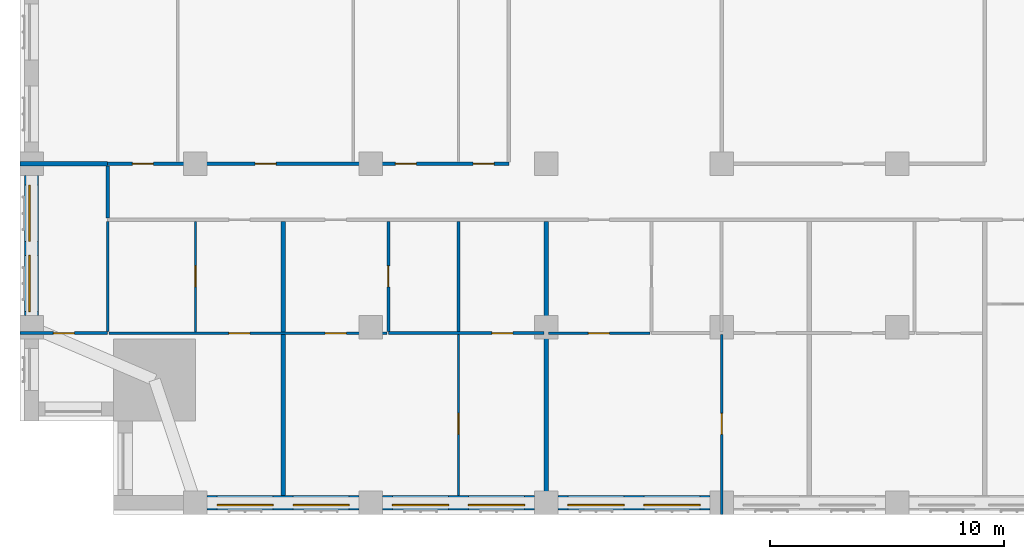
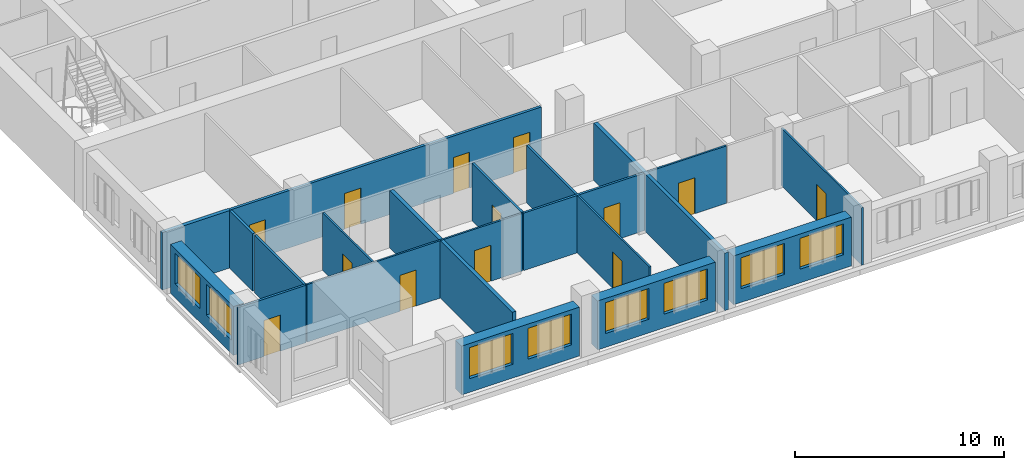
# One storey, part 4 of 14: 19 walls, 13 doors, 8 windows, 21 openings.
"""IFC4 building model written with IfcOpenShell, lengths in metres."""

from ifc_helpers import new_model, si_unit, direction, frame, frame_2d, origin, place, context, subcontext, project, spatial, rectangle, extrude, material, layer, layer_set, type_object, element, fill, save


model = new_model("IFC4")

# Units and contexts
model_context = context("Model", 3, precision=1e-05, world=origin(), true_north=direction((0.0, 1.0)))
body_context = subcontext(model_context, "Body", "Model", "MODEL_VIEW")
ifc_project = project(units=[si_unit("LENGTHUNIT", "METRE"), si_unit("AREAUNIT", "SQUARE_METRE"), si_unit("VOLUMEUNIT", "CUBIC_METRE"), si_unit("PLANEANGLEUNIT", "RADIAN"), si_unit("MASSUNIT", "GRAM", prefix="KILO")], contexts=[model_context])

# Site, building, storey
site_placement = place(None, origin())
site = spatial("IfcSite", under=ifc_project, at=site_placement, CompositionType="ELEMENT")
building_placement = place(site_placement, origin())
building = spatial("IfcBuilding", under=site, at=building_placement, Name="Tamorin Gate", CompositionType="ELEMENT")
storey_placement = place(building_placement, frame((0.0, 0.0, 151.800048828125)))
storey = spatial("IfcBuildingStorey", under=building, at=storey_placement, Name="L37", CompositionType="ELEMENT", Elevation=151.800048828125)

# Wall, openings, windows
ifc_material_1 = material(Name="Precast concrete C40/50", Category="concrete")
ifc_layer_1 = layer(ifc_material_1, 0.60009765625)
ifc_layer_set_1 = layer_set([ifc_layer_1], Name="Precast concrete C40/50")
wall_type_1 = type_object("IfcWallType", Name="Board-marked concrete facade panel 600", PredefinedType="SOLIDWALL", material=ifc_layer_set_1)
wall_1_placement = place(storey_placement, frame((38.0, 38.0, 0.0), z_axis=(0.0, 0.0, 1.0), x_axis=(1.0, 0.0, 0.0)))
wall_1 = element("IfcWall", 1, at=wall_1_placement, inside=storey, type_object=wall_type_1, Name="Facade panel", PredefinedType="SOLIDWALL", context=body_context, shape_type="SweptSolid", body=[
    extrude(rectangle(XDim=6.5, YDim=0.60009765625, at=frame_2d((3.25, 0.0))), origin(), (0.0, 0.0, 1.0), 2.849853515625),
])
opening_1_placement = place(wall_1_placement, frame((0.425048828125, 0.0, 0.800048828125)))
opening_1 = element("IfcOpeningElement", 2, at=opening_1_placement, cuts=wall_1, Name="Opening WN1", PredefinedType="OPENING", context=body_context, shape_type="SweptSolid", body=[
    extrude(rectangle(XDim=2.39990234375, YDim=1.800048828125, at=frame_2d((1.199951171875, 0.89990234375))), frame((0.0, 0.31005859375, 0.0), z_axis=(0.0, -1.0, 0.0), x_axis=(1.0, 0.0, 0.0)), (0.0, 0.0, 1.0), 0.6201171875),
])
opening_2_placement = place(wall_1_placement, frame((3.675048828125, 0.0, 0.800048828125)))
opening_2 = element("IfcOpeningElement", 3, at=opening_2_placement, cuts=wall_1, Name="Opening WN1", PredefinedType="OPENING", context=body_context, shape_type="SweptSolid", body=[
    extrude(rectangle(XDim=2.39990234375, YDim=1.800048828125, at=frame_2d((1.199951171875, 0.89990234375))), frame((0.0, 0.31005859375, 0.0), z_axis=(0.0, -1.0, 0.0), x_axis=(1.0, 0.0, 0.0)), (0.0, 0.0, 1.0), 0.6201171875),
])
ifc_material_2 = material(Name="Clear glass in aluminium frame", Category="aluminium")
window_type = type_object("IfcWindowType", Name="Deep-set window 2400x1800", PartitioningType="SINGLE_PANEL", PredefinedType="WINDOW", material=ifc_material_2)
window_1_placement = place(opening_1_placement, origin())
window_1 = element("IfcWindow", 4, at=window_1_placement, inside=storey, type_object=window_type, Name="Deep-set window", OverallHeight=1.800048828125, OverallWidth=2.39990234375, PartitioningType="SINGLE_PANEL", PredefinedType="WINDOW", context=body_context, shape_type="SweptSolid", body=[
    extrude(rectangle(XDim=2.39990234375, YDim=1.800048828125, at=frame_2d((1.199951171875, 0.89990234375))), frame((0.0, -0.070068359375, 0.0), z_axis=(0.0, -1.0, 0.0), x_axis=(1.0, 0.0, 0.0)), (0.0, 0.0, 1.0), 0.06005859375),
])
fill(opening_1, window_1)
window_2_placement = place(opening_2_placement, origin())
window_2 = element("IfcWindow", 5, at=window_2_placement, inside=storey, type_object=window_type, Name="Deep-set window", OverallHeight=1.800048828125, OverallWidth=2.39990234375, PartitioningType="SINGLE_PANEL", PredefinedType="WINDOW", context=body_context, shape_type="SweptSolid", body=[
    extrude(rectangle(XDim=2.39990234375, YDim=1.800048828125, at=frame_2d((1.199951171875, 0.89990234375))), frame((0.0, -0.070068359375, 0.0), z_axis=(0.0, -1.0, 0.0), x_axis=(1.0, 0.0, 0.0)), (0.0, 0.0, 1.0), 0.06005859375),
])
fill(opening_2, window_2)

wall_2_placement = place(storey_placement, frame((45.5, 38.0, 0.0), z_axis=(0.0, 0.0, 1.0), x_axis=(1.0, 0.0, 0.0)))
wall_2 = element("IfcWall", 6, at=wall_2_placement, inside=storey, type_object=wall_type_1, Name="Facade panel", PredefinedType="SOLIDWALL", context=body_context, shape_type="SweptSolid", body=[
    extrude(rectangle(XDim=6.5, YDim=0.60009765625, at=frame_2d((3.25, 0.0))), origin(), (0.0, 0.0, 1.0), 2.849853515625),
])
opening_3_placement = place(wall_2_placement, frame((0.425048828125, 0.0, 0.800048828125)))
opening_3 = element("IfcOpeningElement", 7, at=opening_3_placement, cuts=wall_2, Name="Opening WN1", PredefinedType="OPENING", context=body_context, shape_type="SweptSolid", body=[
    extrude(rectangle(XDim=2.39990234375, YDim=1.800048828125, at=frame_2d((1.199951171875, 0.89990234375))), frame((0.0, 0.31005859375, 0.0), z_axis=(0.0, -1.0, 0.0), x_axis=(1.0, 0.0, 0.0)), (0.0, 0.0, 1.0), 0.6201171875),
])
opening_4_placement = place(wall_2_placement, frame((3.675048828125, 0.0, 0.800048828125)))
opening_4 = element("IfcOpeningElement", 8, at=opening_4_placement, cuts=wall_2, Name="Opening WN1", PredefinedType="OPENING", context=body_context, shape_type="SweptSolid", body=[
    extrude(rectangle(XDim=2.39990234375, YDim=1.800048828125, at=frame_2d((1.199951171875, 0.89990234375))), frame((0.0, 0.31005859375, 0.0), z_axis=(0.0, -1.0, 0.0), x_axis=(1.0, 0.0, 0.0)), (0.0, 0.0, 1.0), 0.6201171875),
])
window_3_placement = place(opening_3_placement, origin())
window_3 = element("IfcWindow", 9, at=window_3_placement, inside=storey, type_object=window_type, Name="Deep-set window", OverallHeight=1.800048828125, OverallWidth=2.39990234375, PartitioningType="SINGLE_PANEL", PredefinedType="WINDOW", context=body_context, shape_type="SweptSolid", body=[
    extrude(rectangle(XDim=2.39990234375, YDim=1.800048828125, at=frame_2d((1.199951171875, 0.89990234375))), frame((0.0, -0.070068359375, 0.0), z_axis=(0.0, -1.0, 0.0), x_axis=(1.0, 0.0, 0.0)), (0.0, 0.0, 1.0), 0.06005859375),
])
fill(opening_3, window_3)
window_4_placement = place(opening_4_placement, origin())
window_4 = element("IfcWindow", 10, at=window_4_placement, inside=storey, type_object=window_type, Name="Deep-set window", OverallHeight=1.800048828125, OverallWidth=2.39990234375, PartitioningType="SINGLE_PANEL", PredefinedType="WINDOW", context=body_context, shape_type="SweptSolid", body=[
    extrude(rectangle(XDim=2.39990234375, YDim=1.800048828125, at=frame_2d((1.199951171875, 0.89990234375))), frame((0.0, -0.070068359375, 0.0), z_axis=(0.0, -1.0, 0.0), x_axis=(1.0, 0.0, 0.0)), (0.0, 0.0, 1.0), 0.06005859375),
])
fill(opening_4, window_4)

wall_3_placement = place(storey_placement, frame((53.0, 38.0, 0.0), z_axis=(0.0, 0.0, 1.0), x_axis=(1.0, 0.0, 0.0)))
wall_3 = element("IfcWall", 11, at=wall_3_placement, inside=storey, type_object=wall_type_1, Name="Facade panel", PredefinedType="SOLIDWALL", context=body_context, shape_type="SweptSolid", body=[
    extrude(rectangle(XDim=6.5, YDim=0.60009765625, at=frame_2d((3.25, 0.0))), origin(), (0.0, 0.0, 1.0), 2.849853515625),
])
opening_5_placement = place(wall_3_placement, frame((0.425048828125, 0.0, 0.800048828125)))
opening_5 = element("IfcOpeningElement", 12, at=opening_5_placement, cuts=wall_3, Name="Opening WN1", PredefinedType="OPENING", context=body_context, shape_type="SweptSolid", body=[
    extrude(rectangle(XDim=2.39990234375, YDim=1.800048828125, at=frame_2d((1.199951171875, 0.89990234375))), frame((0.0, 0.31005859375, 0.0), z_axis=(0.0, -1.0, 0.0), x_axis=(1.0, 0.0, 0.0)), (0.0, 0.0, 1.0), 0.6201171875),
])
opening_6_placement = place(wall_3_placement, frame((3.675048828125, 0.0, 0.800048828125)))
opening_6 = element("IfcOpeningElement", 13, at=opening_6_placement, cuts=wall_3, Name="Opening WN1", PredefinedType="OPENING", context=body_context, shape_type="SweptSolid", body=[
    extrude(rectangle(XDim=2.39990234375, YDim=1.800048828125, at=frame_2d((1.199951171875, 0.89990234375))), frame((0.0, 0.31005859375, 0.0), z_axis=(0.0, -1.0, 0.0), x_axis=(1.0, 0.0, 0.0)), (0.0, 0.0, 1.0), 0.6201171875),
])
window_5_placement = place(opening_5_placement, origin())
window_5 = element("IfcWindow", 14, at=window_5_placement, inside=storey, type_object=window_type, Name="Deep-set window", OverallHeight=1.800048828125, OverallWidth=2.39990234375, PartitioningType="SINGLE_PANEL", PredefinedType="WINDOW", context=body_context, shape_type="SweptSolid", body=[
    extrude(rectangle(XDim=2.39990234375, YDim=1.800048828125, at=frame_2d((1.199951171875, 0.89990234375))), frame((0.0, -0.070068359375, 0.0), z_axis=(0.0, -1.0, 0.0), x_axis=(1.0, 0.0, 0.0)), (0.0, 0.0, 1.0), 0.06005859375),
])
fill(opening_5, window_5)
window_6_placement = place(opening_6_placement, origin())
window_6 = element("IfcWindow", 15, at=window_6_placement, inside=storey, type_object=window_type, Name="Deep-set window", OverallHeight=1.800048828125, OverallWidth=2.39990234375, PartitioningType="SINGLE_PANEL", PredefinedType="WINDOW", context=body_context, shape_type="SweptSolid", body=[
    extrude(rectangle(XDim=2.39990234375, YDim=1.800048828125, at=frame_2d((1.199951171875, 0.89990234375))), frame((0.0, -0.070068359375, 0.0), z_axis=(0.0, -1.0, 0.0), x_axis=(1.0, 0.0, 0.0)), (0.0, 0.0, 1.0), 0.06005859375),
])
fill(opening_6, window_6)

wall_4_placement = place(storey_placement, frame((30.5, 52.0, 0.0), z_axis=(0.0, 0.0, 1.0), x_axis=(0.0, -1.0, 0.0)))
wall_4 = element("IfcWall", 16, at=wall_4_placement, inside=storey, type_object=wall_type_1, Name="Facade panel", PredefinedType="SOLIDWALL", context=body_context, shape_type="SweptSolid", body=[
    extrude(rectangle(XDim=6.0, YDim=0.60009765625, at=frame_2d((3.0, 0.0))), origin(), (0.0, 0.0, 1.0), 2.849853515625),
])
opening_7_placement = place(wall_4_placement, frame((3.425048828125, 0.0, 0.800048828125)))
opening_7 = element("IfcOpeningElement", 17, at=opening_7_placement, cuts=wall_4, Name="Opening WN1", PredefinedType="OPENING", context=body_context, shape_type="SweptSolid", body=[
    extrude(rectangle(XDim=2.39990234375, YDim=1.800048828125, at=frame_2d((1.199951171875, 0.89990234375))), frame((0.0, 0.31005859375, 0.0), z_axis=(0.0, -1.0, 0.0), x_axis=(1.0, 0.0, 0.0)), (0.0, 0.0, 1.0), 0.6201171875),
])
opening_8_placement = place(wall_4_placement, frame((0.425048828125, 0.0, 0.800048828125)))
opening_8 = element("IfcOpeningElement", 18, at=opening_8_placement, cuts=wall_4, Name="Opening WN1", PredefinedType="OPENING", context=body_context, shape_type="SweptSolid", body=[
    extrude(rectangle(XDim=2.39990234375, YDim=1.800048828125, at=frame_2d((1.199951171875, 0.89990234375))), frame((0.0, 0.31005859375, 0.0), z_axis=(0.0, -1.0, 0.0), x_axis=(1.0, 0.0, 0.0)), (0.0, 0.0, 1.0), 0.6201171875),
])
window_7_placement = place(opening_7_placement, origin())
window_7 = element("IfcWindow", 19, at=window_7_placement, inside=storey, type_object=window_type, Name="Deep-set window", OverallHeight=1.800048828125, OverallWidth=2.39990234375, PartitioningType="SINGLE_PANEL", PredefinedType="WINDOW", context=body_context, shape_type="SweptSolid", body=[
    extrude(rectangle(XDim=2.39990234375, YDim=1.800048828125, at=frame_2d((1.199951171875, 0.89990234375))), frame((0.0, -0.070068359375, 0.0), z_axis=(0.0, -1.0, 0.0), x_axis=(1.0, 0.0, 0.0)), (0.0, 0.0, 1.0), 0.06005859375),
])
fill(opening_7, window_7)
window_8_placement = place(opening_8_placement, origin())
window_8 = element("IfcWindow", 20, at=window_8_placement, inside=storey, type_object=window_type, Name="Deep-set window", OverallHeight=1.800048828125, OverallWidth=2.39990234375, PartitioningType="SINGLE_PANEL", PredefinedType="WINDOW", context=body_context, shape_type="SweptSolid", body=[
    extrude(rectangle(XDim=2.39990234375, YDim=1.800048828125, at=frame_2d((1.199951171875, 0.89990234375))), frame((0.0, -0.070068359375, 0.0), z_axis=(0.0, -1.0, 0.0), x_axis=(1.0, 0.0, 0.0)), (0.0, 0.0, 1.0), 0.06005859375),
])
fill(opening_8, window_8)

# Wall, openings, doors
ifc_material_3 = material(Name="Gypsum board partition")
ifc_layer_2 = layer(ifc_material_3, 0.14990234375)
ifc_layer_set_2 = layer_set([ifc_layer_2], Name="Corridor wall 150")
wall_type_2 = type_object("IfcWallType", Name="Corridor wall 150", PredefinedType="PARTITIONING", material=ifc_layer_set_2)
wall_5_placement = place(storey_placement, frame((33.75, 52.5, 0.0), z_axis=(0.0, 0.0, 1.0), x_axis=(1.0, 0.0, 0.0)))
wall_5 = element("IfcWall", 21, at=wall_5_placement, inside=storey, type_object=wall_type_2, Name="Corridor wall 150", PredefinedType="PARTITIONING", context=body_context, shape_type="SweptSolid", body=[
    extrude(rectangle(XDim=17.14990234375, YDim=0.14990234375, at=frame_2d((8.574951171875, 0.0))), origin(), (0.0, 0.0, 1.0), 3.349853515625),
])
opening_9_placement = place(wall_5_placement, frame((1.050048828125, 0.0, 0.0)))
opening_9 = element("IfcOpeningElement", 22, at=opening_9_placement, cuts=wall_5, Name="Opening DS3068", PredefinedType="OPENING", context=body_context, shape_type="SweptSolid", body=[
    extrude(rectangle(XDim=0.89990234375, YDim=2.10009765625, at=frame_2d((0.449951171875, 1.050048828125))), frame((0.0, 0.0849609375, 0.0), z_axis=(0.0, -1.0, 0.0), x_axis=(1.0, 0.0, 0.0)), (0.0, 0.0, 1.0), 0.169921875),
])
opening_10_placement = place(wall_5_placement, frame((6.300048828125, 0.0, 0.0)))
opening_10 = element("IfcOpeningElement", 23, at=opening_10_placement, cuts=wall_5, Name="Opening DS3069", PredefinedType="OPENING", context=body_context, shape_type="SweptSolid", body=[
    extrude(rectangle(XDim=0.89990234375, YDim=2.10009765625, at=frame_2d((0.449951171875, 1.050048828125))), frame((0.0, 0.0849609375, 0.0), z_axis=(0.0, -1.0, 0.0), x_axis=(1.0, 0.0, 0.0)), (0.0, 0.0, 1.0), 0.169921875),
])
opening_11_placement = place(wall_5_placement, frame((12.300048828125, 0.0, 0.0)))
opening_11 = element("IfcOpeningElement", 24, at=opening_11_placement, cuts=wall_5, Name="Opening DS3070", PredefinedType="OPENING", context=body_context, shape_type="SweptSolid", body=[
    extrude(rectangle(XDim=0.89990234375, YDim=2.10009765625, at=frame_2d((0.449951171875, 1.050048828125))), frame((0.0, 0.0849609375, 0.0), z_axis=(0.0, -1.0, 0.0), x_axis=(1.0, 0.0, 0.0)), (0.0, 0.0, 1.0), 0.169921875),
])
opening_12_placement = place(wall_5_placement, frame((15.625, 0.0, 0.0)))
opening_12 = element("IfcOpeningElement", 25, at=opening_12_placement, cuts=wall_5, Name="Opening DS3071", PredefinedType="OPENING", context=body_context, shape_type="SweptSolid", body=[
    extrude(rectangle(XDim=0.89990234375, YDim=2.10009765625, at=frame_2d((0.449951171875, 1.050048828125))), frame((0.0, 0.0849609375, 0.0), z_axis=(0.0, -1.0, 0.0), x_axis=(1.0, 0.0, 0.0)), (0.0, 0.0, 1.0), 0.169921875),
])
ifc_material_4 = material(Name="Timber door leaf", Category="wood")
door_type_1 = type_object("IfcDoorType", Name="Door 900 x 2100 FD30S", OperationType="NOTDEFINED", PredefinedType="DOOR", material=ifc_material_4)
door_1_placement = place(opening_9_placement, origin())
door_1 = element("IfcDoor", 26, at=door_1_placement, inside=storey, type_object=door_type_1, Name="Door DS3068", OperationType="SINGLE_SWING_LEFT", OverallHeight=2.10009765625, OverallWidth=0.89990234375, PredefinedType="DOOR", context=body_context, shape_type="SweptSolid", body=[
    extrude(rectangle(XDim=0.89990234375, YDim=2.10009765625, at=frame_2d((0.449951171875, 1.050048828125))), frame((0.0, 0.02490234375, 0.0), z_axis=(0.0, -1.0, 0.0), x_axis=(1.0, 0.0, 0.0)), (0.0, 0.0, 1.0), 0.050048828125),
])
fill(opening_9, door_1)
door_2_placement = place(opening_10_placement, origin())
door_2 = element("IfcDoor", 27, at=door_2_placement, inside=storey, type_object=door_type_1, Name="Door DS3069", OperationType="SINGLE_SWING_LEFT", OverallHeight=2.10009765625, OverallWidth=0.89990234375, PredefinedType="DOOR", context=body_context, shape_type="SweptSolid", body=[
    extrude(rectangle(XDim=0.89990234375, YDim=2.10009765625, at=frame_2d((0.449951171875, 1.050048828125))), frame((0.0, 0.02490234375, 0.0), z_axis=(0.0, -1.0, 0.0), x_axis=(1.0, 0.0, 0.0)), (0.0, 0.0, 1.0), 0.050048828125),
])
fill(opening_10, door_2)
door_3_placement = place(opening_11_placement, origin())
door_3 = element("IfcDoor", 28, at=door_3_placement, inside=storey, type_object=door_type_1, Name="Door DS3070", OperationType="SINGLE_SWING_LEFT", OverallHeight=2.10009765625, OverallWidth=0.89990234375, PredefinedType="DOOR", context=body_context, shape_type="SweptSolid", body=[
    extrude(rectangle(XDim=0.89990234375, YDim=2.10009765625, at=frame_2d((0.449951171875, 1.050048828125))), frame((0.0, 0.02490234375, 0.0), z_axis=(0.0, -1.0, 0.0), x_axis=(1.0, 0.0, 0.0)), (0.0, 0.0, 1.0), 0.050048828125),
])
fill(opening_11, door_3)
door_4_placement = place(opening_12_placement, origin())
door_4 = element("IfcDoor", 29, at=door_4_placement, inside=storey, type_object=door_type_1, Name="Door DS3071", OperationType="SINGLE_SWING_LEFT", OverallHeight=2.10009765625, OverallWidth=0.89990234375, PredefinedType="DOOR", context=body_context, shape_type="SweptSolid", body=[
    extrude(rectangle(XDim=0.89990234375, YDim=2.10009765625, at=frame_2d((0.449951171875, 1.050048828125))), frame((0.0, 0.02490234375, 0.0), z_axis=(0.0, -1.0, 0.0), x_axis=(1.0, 0.0, 0.0)), (0.0, 0.0, 1.0), 0.050048828125),
])
fill(opening_12, door_4)

# Walls
wall_6_placement = place(storey_placement, frame((33.75, 50.175048828125, 0.0), z_axis=(0.0, 0.0, 1.0), x_axis=(0.0, 1.0, 0.0)))
element("IfcWall", 30, at=wall_6_placement, inside=storey, type_object=wall_type_2, Name="Corridor wall 150", PredefinedType="PARTITIONING", context=body_context, shape_type="SweptSolid", body=[
    extrude(rectangle(XDim=2.224853515625, YDim=0.14990234375, at=frame_2d((1.1123046875, 0.0))), origin(), (0.0, 0.0, 1.0), 3.349853515625),
])
ifc_layer_3 = layer(ifc_material_3, 0.199951171875)
ifc_layer_set_3 = layer_set([ifc_layer_3], Name="Demising wall 200")
wall_type_3 = type_object("IfcWallType", Name="Demising wall 200", PredefinedType="PARTITIONING", material=ifc_layer_set_3)
wall_7_placement = place(storey_placement, frame((30.0, 52.5, 0.0), z_axis=(0.0, 0.0, 1.0), x_axis=(1.0, 0.0, 0.0)))
element("IfcWall", 31, at=wall_7_placement, inside=storey, type_object=wall_type_3, Name="Demising wall 200", PredefinedType="PARTITIONING", context=body_context, shape_type="SweptSolid", body=[
    extrude(rectangle(XDim=3.75, YDim=0.199951171875, at=frame_2d((1.875, 0.0))), origin(), (0.0, 0.0, 1.0), 3.349853515625),
])
wall_8_placement = place(storey_placement, frame((41.25, 38.31005859375, 0.0), z_axis=(0.0, 0.0, 1.0), x_axis=(0.0, 1.0, 0.0)))
element("IfcWall", 32, at=wall_8_placement, inside=storey, type_object=wall_type_3, Name="Demising wall 200", PredefinedType="PARTITIONING", context=body_context, shape_type="SweptSolid", body=[
    extrude(rectangle(XDim=11.71484375, YDim=0.199951171875, at=frame_2d((5.857421875, 0.0))), origin(), (0.0, 0.0, 1.0), 3.349853515625),
])
wall_9_placement = place(storey_placement, frame((52.5, 37.5, 0.0), z_axis=(0.0, 0.0, 1.0), x_axis=(0.0, 1.0, 0.0)))
element("IfcWall", 33, at=wall_9_placement, inside=storey, type_object=wall_type_3, Name="Demising wall 200", PredefinedType="PARTITIONING", context=body_context, shape_type="SweptSolid", body=[
    extrude(rectangle(XDim=12.52490234375, YDim=0.199951171875, at=frame_2d((6.262451171875, 0.0))), origin(), (0.0, 0.0, 1.0), 3.349853515625),
])

# Wall, openings, doors
ifc_layer_4 = layer(ifc_material_3, 0.10009765625)
ifc_layer_set_4 = layer_set([ifc_layer_4], Name="Room partition 100")
wall_type_4 = type_object("IfcWallType", Name="Room partition 100", PredefinedType="PARTITIONING", material=ifc_layer_set_4)
wall_10_placement = place(storey_placement, frame((33.8125, 45.25, 0.0), z_axis=(0.0, 0.0, 1.0), x_axis=(1.0, 0.0, 0.0)))
wall_10 = element("IfcWall", 34, at=wall_10_placement, inside=storey, type_object=wall_type_4, Name="Room partition 100", PredefinedType="PARTITIONING", context=body_context, shape_type="SweptSolid", body=[
    extrude(rectangle(XDim=11.875, YDim=0.10009765625, at=frame_2d((5.9375, 0.0))), origin(), (0.0, 0.0, 1.0), 3.349853515625),
])
opening_13_placement = place(wall_10_placement, frame((5.112548828125, 0.0, 0.0)))
opening_13 = element("IfcOpeningElement", 35, at=opening_13_placement, cuts=wall_10, Name="Opening DS3004", PredefinedType="OPENING", context=body_context, shape_type="SweptSolid", body=[
    extrude(rectangle(XDim=0.89990234375, YDim=2.10009765625, at=frame_2d((0.449951171875, 1.050048828125))), frame((0.0, 0.06005859375, 0.0), z_axis=(0.0, -1.0, 0.0), x_axis=(1.0, 0.0, 0.0)), (0.0, 0.0, 1.0), 0.1201171875),
])
opening_14_placement = place(wall_10_placement, frame((9.237548828125, 0.0, 0.0)))
opening_14 = element("IfcOpeningElement", 36, at=opening_14_placement, cuts=wall_10, Name="Opening DS3006", PredefinedType="OPENING", context=body_context, shape_type="SweptSolid", body=[
    extrude(rectangle(XDim=0.89990234375, YDim=2.10009765625, at=frame_2d((0.449951171875, 1.050048828125))), frame((0.0, 0.06005859375, 0.0), z_axis=(0.0, -1.0, 0.0), x_axis=(1.0, 0.0, 0.0)), (0.0, 0.0, 1.0), 0.1201171875),
])
door_type_2 = type_object("IfcDoorType", Name="Door 900 x 2100", OperationType="NOTDEFINED", PredefinedType="DOOR", material=ifc_material_4)
door_5_placement = place(opening_13_placement, origin())
door_5 = element("IfcDoor", 37, at=door_5_placement, inside=storey, type_object=door_type_2, Name="Door DS3004", OperationType="SINGLE_SWING_LEFT", OverallHeight=2.10009765625, OverallWidth=0.89990234375, PredefinedType="DOOR", context=body_context, shape_type="SweptSolid", body=[
    extrude(rectangle(XDim=0.89990234375, YDim=2.10009765625, at=frame_2d((0.449951171875, 1.050048828125))), frame((0.0, 0.02490234375, 0.0), z_axis=(0.0, -1.0, 0.0), x_axis=(1.0, 0.0, 0.0)), (0.0, 0.0, 1.0), 0.050048828125),
])
fill(opening_13, door_5)
door_6_placement = place(opening_14_placement, origin())
door_6 = element("IfcDoor", 38, at=door_6_placement, inside=storey, type_object=door_type_2, Name="Door DS3006", OperationType="SINGLE_SWING_LEFT", OverallHeight=2.10009765625, OverallWidth=0.89990234375, PredefinedType="DOOR", context=body_context, shape_type="SweptSolid", body=[
    extrude(rectangle(XDim=0.89990234375, YDim=2.10009765625, at=frame_2d((0.449951171875, 1.050048828125))), frame((0.0, 0.02490234375, 0.0), z_axis=(0.0, -1.0, 0.0), x_axis=(1.0, 0.0, 0.0)), (0.0, 0.0, 1.0), 0.050048828125),
])
fill(opening_14, door_6)

# Wall, opening, door
wall_11_placement = place(storey_placement, frame((52.60009765625, 45.25, 0.0), z_axis=(0.0, 0.0, 1.0), x_axis=(1.0, 0.0, 0.0)))
wall_11 = element("IfcWall", 39, at=wall_11_placement, inside=storey, type_object=wall_type_4, Name="Room partition 100", PredefinedType="PARTITIONING", context=body_context, shape_type="SweptSolid", body=[
    extrude(rectangle(XDim=4.33740234375, YDim=0.10009765625, at=frame_2d((2.168701171875, 0.0))), origin(), (0.0, 0.0, 1.0), 3.349853515625),
])
opening_15_placement = place(wall_11_placement, frame((1.699951171875, 0.0, 0.0)))
opening_15 = element("IfcOpeningElement", 40, at=opening_15_placement, cuts=wall_11, Name="Opening DS3011", PredefinedType="OPENING", context=body_context, shape_type="SweptSolid", body=[
    extrude(rectangle(XDim=0.89990234375, YDim=2.10009765625, at=frame_2d((0.449951171875, 1.050048828125))), frame((0.0, 0.06005859375, 0.0), z_axis=(0.0, -1.0, 0.0), x_axis=(1.0, 0.0, 0.0)), (0.0, 0.0, 1.0), 0.1201171875),
])
door_7_placement = place(opening_15_placement, origin())
door_7 = element("IfcDoor", 41, at=door_7_placement, inside=storey, type_object=door_type_2, Name="Door DS3011", OperationType="SINGLE_SWING_LEFT", OverallHeight=2.10009765625, OverallWidth=0.89990234375, PredefinedType="DOOR", context=body_context, shape_type="SweptSolid", body=[
    extrude(rectangle(XDim=0.89990234375, YDim=2.10009765625, at=frame_2d((0.449951171875, 1.050048828125))), frame((0.0, 0.02490234375, 0.0), z_axis=(0.0, -1.0, 0.0), x_axis=(1.0, 0.0, 0.0)), (0.0, 0.0, 1.0), 0.050048828125),
])
fill(opening_15, door_7)

wall_12_placement = place(storey_placement, frame((37.5, 45.300048828125, 0.0), z_axis=(0.0, 0.0, 1.0), x_axis=(0.0, 1.0, 0.0)))
wall_12 = element("IfcWall", 42, at=wall_12_placement, inside=storey, type_object=wall_type_4, Name="Room partition 100", PredefinedType="PARTITIONING", context=body_context, shape_type="SweptSolid", body=[
    extrude(rectangle(XDim=4.724853515625, YDim=0.10009765625, at=frame_2d((2.3623046875, 0.0))), origin(), (0.0, 0.0, 1.0), 3.349853515625),
])
opening_16_placement = place(wall_12_placement, frame((1.925048828125, 0.0, 0.0)))
opening_16 = element("IfcOpeningElement", 43, at=opening_16_placement, cuts=wall_12, Name="Opening DS3002", PredefinedType="OPENING", context=body_context, shape_type="SweptSolid", body=[
    extrude(rectangle(XDim=0.89990234375, YDim=2.10009765625, at=frame_2d((0.449951171875, 1.050048828125))), frame((0.0, 0.06005859375, 0.0), z_axis=(0.0, -1.0, 0.0), x_axis=(1.0, 0.0, 0.0)), (0.0, 0.0, 1.0), 0.1201171875),
])
door_8_placement = place(opening_16_placement, origin())
door_8 = element("IfcDoor", 44, at=door_8_placement, inside=storey, type_object=door_type_2, Name="Door DS3002", OperationType="SINGLE_SWING_RIGHT", OverallHeight=2.10009765625, OverallWidth=0.89990234375, PredefinedType="DOOR", context=body_context, shape_type="SweptSolid", body=[
    extrude(rectangle(XDim=0.89990234375, YDim=2.10009765625, at=frame_2d((0.449951171875, 1.050048828125))), frame((0.0, 0.02490234375, 0.0), z_axis=(0.0, -1.0, 0.0), x_axis=(1.0, 0.0, 0.0)), (0.0, 0.0, 1.0), 0.050048828125),
])
fill(opening_16, door_8)

wall_13_placement = place(storey_placement, frame((48.75, 38.31005859375, 0.0), z_axis=(0.0, 0.0, 1.0), x_axis=(0.0, 1.0, 0.0)))
wall_13 = element("IfcWall", 45, at=wall_13_placement, inside=storey, type_object=wall_type_4, Name="Room partition 100", PredefinedType="PARTITIONING", context=body_context, shape_type="SweptSolid", body=[
    extrude(rectangle(XDim=6.87744140625, YDim=0.10009765625, at=frame_2d((3.438720703125, 0.0))), origin(), (0.0, 0.0, 1.0), 3.349853515625),
])
opening_17_placement = place(wall_13_placement, frame((2.614990234375, 0.0, 0.0)))
opening_17 = element("IfcOpeningElement", 46, at=opening_17_placement, cuts=wall_13, Name="Opening DS3009", PredefinedType="OPENING", context=body_context, shape_type="SweptSolid", body=[
    extrude(rectangle(XDim=0.89990234375, YDim=2.10009765625, at=frame_2d((0.449951171875, 1.050048828125))), frame((0.0, 0.06005859375, 0.0), z_axis=(0.0, -1.0, 0.0), x_axis=(1.0, 0.0, 0.0)), (0.0, 0.0, 1.0), 0.1201171875),
])
door_9_placement = place(opening_17_placement, origin())
door_9 = element("IfcDoor", 47, at=door_9_placement, inside=storey, type_object=door_type_2, Name="Door DS3009", OperationType="SINGLE_SWING_LEFT", OverallHeight=2.10009765625, OverallWidth=0.89990234375, PredefinedType="DOOR", context=body_context, shape_type="SweptSolid", body=[
    extrude(rectangle(XDim=0.89990234375, YDim=2.10009765625, at=frame_2d((0.449951171875, 1.050048828125))), frame((0.0, 0.02490234375, 0.0), z_axis=(0.0, -1.0, 0.0), x_axis=(1.0, 0.0, 0.0)), (0.0, 0.0, 1.0), 0.050048828125),
])
fill(opening_17, door_9)

wall_14_placement = place(storey_placement, frame((60.0, 37.5, 0.0), z_axis=(0.0, 0.0, 1.0), x_axis=(0.0, 1.0, 0.0)))
wall_14 = element("IfcWall", 48, at=wall_14_placement, inside=storey, type_object=wall_type_4, Name="Room partition 100", PredefinedType="PARTITIONING", context=body_context, shape_type="SweptSolid", body=[
    extrude(rectangle(XDim=7.6875, YDim=0.10009765625, at=frame_2d((3.84375, 0.0))), origin(), (0.0, 0.0, 1.0), 3.349853515625),
])
opening_18_placement = place(wall_14_placement, frame((3.425048828125, 0.0, 0.0)))
opening_18 = element("IfcOpeningElement", 49, at=opening_18_placement, cuts=wall_14, Name="Opening DS3014", PredefinedType="OPENING", context=body_context, shape_type="SweptSolid", body=[
    extrude(rectangle(XDim=0.89990234375, YDim=2.10009765625, at=frame_2d((0.449951171875, 1.050048828125))), frame((0.0, 0.06005859375, 0.0), z_axis=(0.0, -1.0, 0.0), x_axis=(1.0, 0.0, 0.0)), (0.0, 0.0, 1.0), 0.1201171875),
])
door_10_placement = place(opening_18_placement, origin())
door_10 = element("IfcDoor", 50, at=door_10_placement, inside=storey, type_object=door_type_2, Name="Door DS3014", OperationType="SINGLE_SWING_LEFT", OverallHeight=2.10009765625, OverallWidth=0.89990234375, PredefinedType="DOOR", context=body_context, shape_type="SweptSolid", body=[
    extrude(rectangle(XDim=0.89990234375, YDim=2.10009765625, at=frame_2d((0.449951171875, 1.050048828125))), frame((0.0, 0.02490234375, 0.0), z_axis=(0.0, -1.0, 0.0), x_axis=(1.0, 0.0, 0.0)), (0.0, 0.0, 1.0), 0.050048828125),
])
fill(opening_18, door_10)

ifc_layer_5 = layer(ifc_material_3, 0.125)
ifc_layer_set_5 = layer_set([ifc_layer_5], Name="Wet wall 125")
wall_type_5 = type_object("IfcWallType", Name="Wet wall 125", PredefinedType="PARTITIONING", material=ifc_layer_set_5)
wall_15_placement = place(storey_placement, frame((30.0, 45.25, 0.0), z_axis=(0.0, 0.0, 1.0), x_axis=(1.0, 0.0, 0.0)))
wall_15 = element("IfcWall", 51, at=wall_15_placement, inside=storey, type_object=wall_type_5, Name="Wet wall 125", PredefinedType="PARTITIONING", context=body_context, shape_type="SweptSolid", body=[
    extrude(rectangle(XDim=3.75, YDim=0.125, at=frame_2d((1.875, 0.0))), origin(), (0.0, 0.0, 1.0), 3.349853515625),
])
opening_19_placement = place(wall_15_placement, frame((1.425048828125, 0.0, 0.0)))
opening_19 = element("IfcOpeningElement", 52, at=opening_19_placement, cuts=wall_15, Name="Opening DS3001", PredefinedType="OPENING", context=body_context, shape_type="SweptSolid", body=[
    extrude(rectangle(XDim=0.89990234375, YDim=2.10009765625, at=frame_2d((0.449951171875, 1.050048828125))), frame((0.0, 0.072509765625, 0.0), z_axis=(0.0, -1.0, 0.0), x_axis=(1.0, 0.0, 0.0)), (0.0, 0.0, 1.0), 0.14501953125),
])
door_11_placement = place(opening_19_placement, origin())
door_11 = element("IfcDoor", 53, at=door_11_placement, inside=storey, type_object=door_type_2, Name="Door DS3001", OperationType="SINGLE_SWING_LEFT", OverallHeight=2.10009765625, OverallWidth=0.89990234375, PredefinedType="DOOR", context=body_context, shape_type="SweptSolid", body=[
    extrude(rectangle(XDim=0.89990234375, YDim=2.10009765625, at=frame_2d((0.449951171875, 1.050048828125))), frame((0.0, 0.02490234375, 0.0), z_axis=(0.0, -1.0, 0.0), x_axis=(1.0, 0.0, 0.0)), (0.0, 0.0, 1.0), 0.050048828125),
])
fill(opening_19, door_11)

wall_16_placement = place(storey_placement, frame((45.75, 45.25, 0.0), z_axis=(0.0, 0.0, 1.0), x_axis=(1.0, 0.0, 0.0)))
wall_16 = element("IfcWall", 54, at=wall_16_placement, inside=storey, type_object=wall_type_5, Name="Wet wall 125", PredefinedType="PARTITIONING", context=body_context, shape_type="SweptSolid", body=[
    extrude(rectangle(XDim=6.64990234375, YDim=0.125, at=frame_2d((3.324951171875, 0.0))), origin(), (0.0, 0.0, 1.0), 3.349853515625),
])
opening_20_placement = place(wall_16_placement, frame((4.425048828125, 0.0, 0.0)))
opening_20 = element("IfcOpeningElement", 55, at=opening_20_placement, cuts=wall_16, Name="Opening DS3008", PredefinedType="OPENING", context=body_context, shape_type="SweptSolid", body=[
    extrude(rectangle(XDim=0.89990234375, YDim=2.10009765625, at=frame_2d((0.449951171875, 1.050048828125))), frame((0.0, 0.072509765625, 0.0), z_axis=(0.0, -1.0, 0.0), x_axis=(1.0, 0.0, 0.0)), (0.0, 0.0, 1.0), 0.14501953125),
])
door_12_placement = place(opening_20_placement, origin())
door_12 = element("IfcDoor", 56, at=door_12_placement, inside=storey, type_object=door_type_2, Name="Door DS3008", OperationType="SINGLE_SWING_LEFT", OverallHeight=2.10009765625, OverallWidth=0.89990234375, PredefinedType="DOOR", context=body_context, shape_type="SweptSolid", body=[
    extrude(rectangle(XDim=0.89990234375, YDim=2.10009765625, at=frame_2d((0.449951171875, 1.050048828125))), frame((0.0, 0.02490234375, 0.0), z_axis=(0.0, -1.0, 0.0), x_axis=(1.0, 0.0, 0.0)), (0.0, 0.0, 1.0), 0.050048828125),
])
fill(opening_20, door_12)

# Wall
wall_17_placement = place(storey_placement, frame((33.75, 45.3125, 0.0), z_axis=(0.0, 0.0, 1.0), x_axis=(0.0, 1.0, 0.0)))
element("IfcWall", 57, at=wall_17_placement, inside=storey, type_object=wall_type_5, Name="Wet wall 125", PredefinedType="PARTITIONING", context=body_context, shape_type="SweptSolid", body=[
    extrude(rectangle(XDim=4.71240234375, YDim=0.125, at=frame_2d((2.356201171875, 0.0))), origin(), (0.0, 0.0, 1.0), 3.349853515625),
])

# Wall, opening, door
wall_18_placement = place(storey_placement, frame((45.75, 45.3125, 0.0), z_axis=(0.0, 0.0, 1.0), x_axis=(0.0, 1.0, 0.0)))
wall_18 = element("IfcWall", 58, at=wall_18_placement, inside=storey, type_object=wall_type_5, Name="Wet wall 125", PredefinedType="PARTITIONING", context=body_context, shape_type="SweptSolid", body=[
    extrude(rectangle(XDim=4.71240234375, YDim=0.125, at=frame_2d((2.356201171875, 0.0))), origin(), (0.0, 0.0, 1.0), 3.349853515625),
])
opening_21_placement = place(wall_18_placement, frame((1.91259765625, 0.0, 0.0)))
opening_21 = element("IfcOpeningElement", 59, at=opening_21_placement, cuts=wall_18, Name="Opening DS3007", PredefinedType="OPENING", context=body_context, shape_type="SweptSolid", body=[
    extrude(rectangle(XDim=0.89990234375, YDim=2.10009765625, at=frame_2d((0.449951171875, 1.050048828125))), frame((0.0, 0.072509765625, 0.0), z_axis=(0.0, -1.0, 0.0), x_axis=(1.0, 0.0, 0.0)), (0.0, 0.0, 1.0), 0.14501953125),
])
door_13_placement = place(opening_21_placement, origin())
door_13 = element("IfcDoor", 60, at=door_13_placement, inside=storey, type_object=door_type_2, Name="Door DS3007", OperationType="SINGLE_SWING_LEFT", OverallHeight=2.10009765625, OverallWidth=0.89990234375, PredefinedType="DOOR", context=body_context, shape_type="SweptSolid", body=[
    extrude(rectangle(XDim=0.89990234375, YDim=2.10009765625, at=frame_2d((0.449951171875, 1.050048828125))), frame((0.0, 0.02490234375, 0.0), z_axis=(0.0, -1.0, 0.0), x_axis=(1.0, 0.0, 0.0)), (0.0, 0.0, 1.0), 0.050048828125),
])
fill(opening_21, door_13)

# Wall
wall_19_placement = place(storey_placement, frame((48.75, 45.3125, 0.0), z_axis=(0.0, 0.0, 1.0), x_axis=(0.0, 1.0, 0.0)))
element("IfcWall", 61, at=wall_19_placement, inside=storey, type_object=wall_type_5, Name="Wet wall 125", PredefinedType="PARTITIONING", context=body_context, shape_type="SweptSolid", body=[
    extrude(rectangle(XDim=4.71240234375, YDim=0.125, at=frame_2d((2.356201171875, 0.0))), origin(), (0.0, 0.0, 1.0), 3.349853515625),
])

save(model, "model.ifc")
